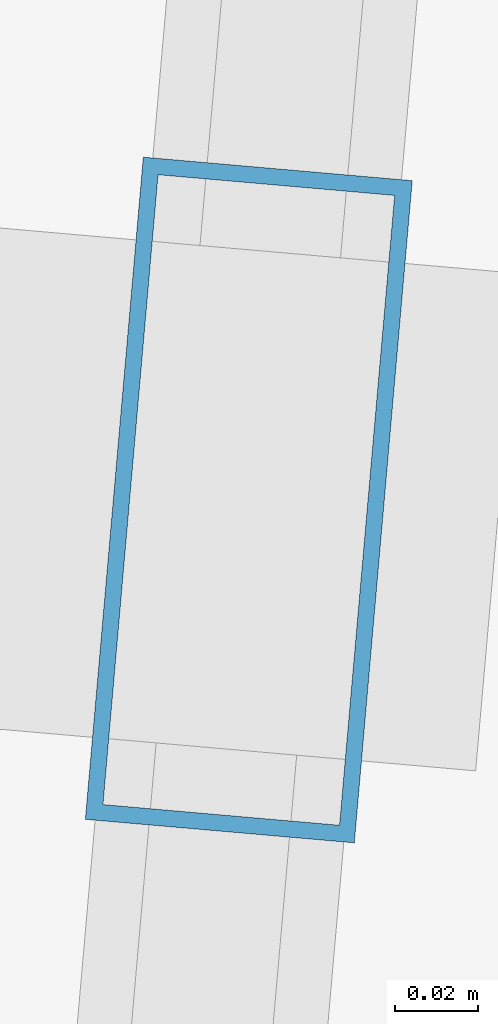
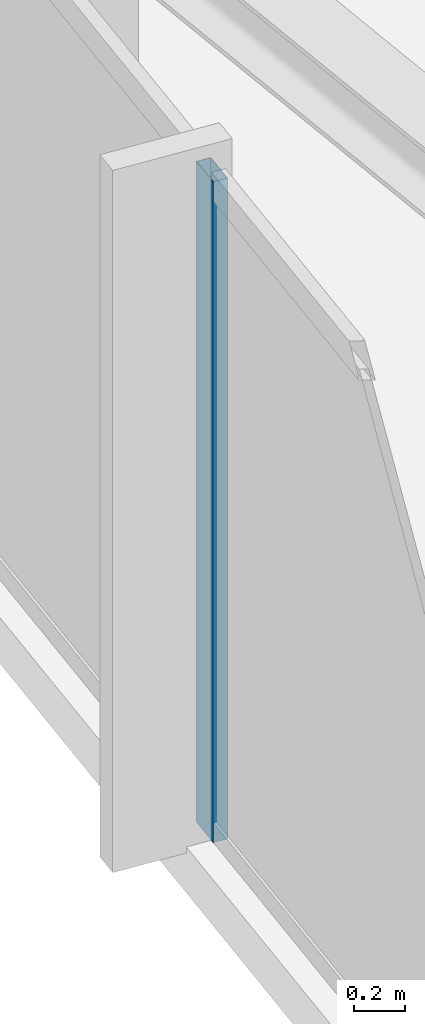
# One storey, part 5 of 33: 1 member, 1 element without a shape of its own.
"""IFC4 building model written with IfcOpenShell, lengths in metres."""

from ifc_helpers import new_model, si_unit, direction, frame, origin, origin_2d, place, context, subcontext, project, spatial, hollow_rectangle, extrude, material, material_profile, profile_set, type_object, element, aggregate, save


model = new_model("IFC4")

# Units and contexts
model_context = context("Model", 3, precision=1e-05, world=origin(), true_north=direction((0.0, 1.0)))
body_context = subcontext(model_context, "Body", "Model", "MODEL_VIEW")
ifc_project = project(units=[si_unit("LENGTHUNIT", "METRE"), si_unit("AREAUNIT", "SQUARE_METRE"), si_unit("VOLUMEUNIT", "CUBIC_METRE"), si_unit("PLANEANGLEUNIT", "RADIAN"), si_unit("MASSUNIT", "GRAM", prefix="KILO")], contexts=[model_context])

# Site, building, storey
site_placement = place(None, origin())
site = spatial("IfcSite", under=ifc_project, at=site_placement, CompositionType="ELEMENT")
building_placement = place(site_placement, origin())
building = spatial("IfcBuilding", under=site, at=building_placement, Name="Yelkora Congress Tower", CompositionType="ELEMENT")
storey_placement = place(building_placement, frame((0.0, 0.0, 289.699951171875)))
storey = spatial("IfcBuildingStorey", under=building, at=storey_placement, Name="L81", CompositionType="ELEMENT", Elevation=289.699951171875)

# Curtain wall, member
ifc_material_1 = material(Name="Anodised aluminium and insulated glass", Category="aluminium")
curtain_wall_type = type_object("IfcCurtainWallType", Name="CW-SYS-B5", PredefinedType="NOTDEFINED", material=ifc_material_1)
curtain_wall_placement = place(storey_placement, origin())
curtain_wall = element("IfcCurtainWall", 1, at=curtain_wall_placement, inside=storey, type_object=curtain_wall_type, Name="L81 Unitised Curtain Wall 5", PredefinedType="NOTDEFINED")
ifc_material_2 = material(Name="Anodised aluminium 6063-T6", Category="aluminium")
ifc_material_profile = material_profile(ifc_material_2, hollow_rectangle(XDim=0.06494140625, YDim=0.159912109375, WallThickness=0.00390625, at=origin_2d()), Name="ALU 65x160x4")
ifc_profile_set = profile_set([ifc_material_profile], Name="Anodised aluminium 6063-T6")
member_type = type_object("IfcMemberType", Name="MEM-ML-B5", PredefinedType="MULLION", material=ifc_profile_set)
member_placement = place(storey_placement, frame((6.313720703125, 28.49658203125, 0.0), z_axis=(0.0, 0.0, 1.0), x_axis=(-0.996194785929, 0.08715473876, 0.0)))
member = element("IfcMember", 2, at=member_placement, type_object=member_type, Name="CW-B5 mullion 2", PredefinedType="MULLION", context=body_context, shape_type="SweptSolid", body=[
    extrude(hollow_rectangle(XDim=0.06494140625, YDim=0.159912109375, WallThickness=0.00390625, at=origin_2d()), origin(), (0.0, 0.0, 1.0), 3.179931640625),
])
aggregate(curtain_wall, [member])

save(model, "model.ifc")
